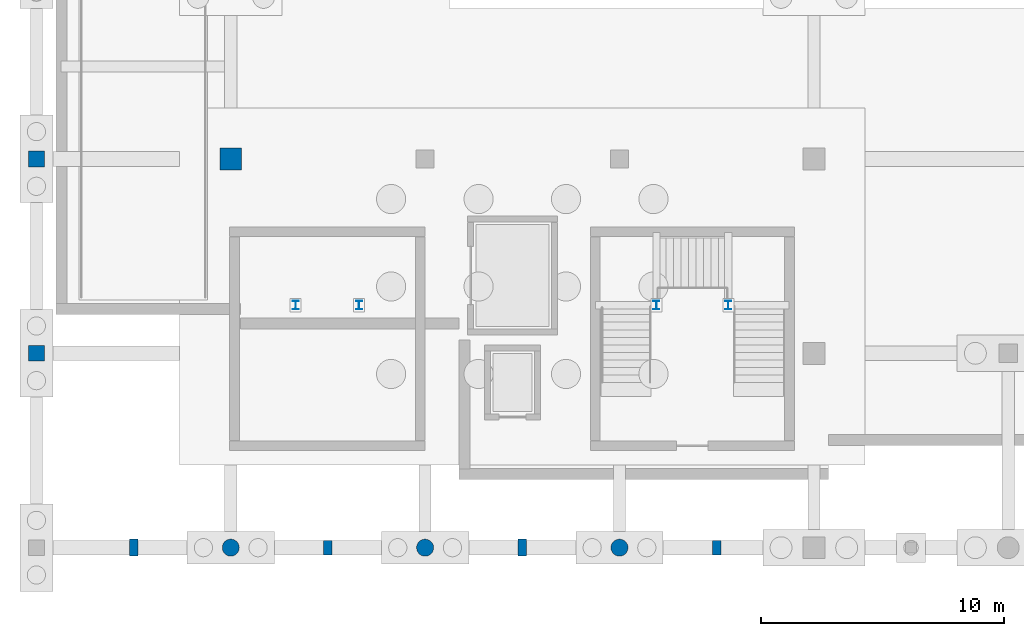
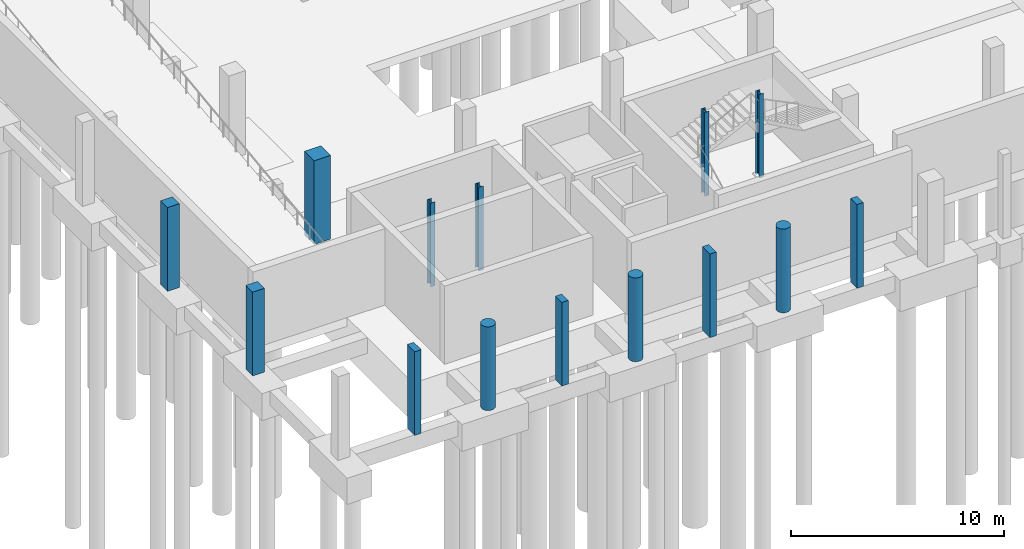
# One storey, part 7 of 32: 14 columns.
"""IFC4 building model written with IfcOpenShell, lengths in metres."""

from ifc_helpers import new_model, si_unit, derived_unit, direction, frame, origin, origin_2d, place, context, subcontext, project, spatial, rectangle, circle, i_section, extrude, material, material_profile, profile_set, type_object, element, save


model = new_model("IFC4")

# Units and contexts
model_context = context("Model", 3, precision=1e-05, world=origin(), true_north=direction((0.0, 1.0)))
body_context = subcontext(model_context, "Body", "Model", "MODEL_VIEW")
ifc_project = project(units=[si_unit("LENGTHUNIT", "METRE"), si_unit("AREAUNIT", "SQUARE_METRE"), si_unit("VOLUMEUNIT", "CUBIC_METRE"), si_unit("PLANEANGLEUNIT", "RADIAN"), si_unit("MASSUNIT", "GRAM", prefix="KILO"), derived_unit("THERMALTRANSMITTANCEUNIT", [(si_unit("POWERUNIT", "WATT"), 1), (si_unit("LENGTHUNIT", "METRE"), -2), (si_unit("THERMODYNAMICTEMPERATUREUNIT", "KELVIN"), -1)])], contexts=[model_context])

# Site, building, storey
site_placement = place(None, origin())
site = spatial("IfcSite", under=ifc_project, at=site_placement, CompositionType="ELEMENT")
building_placement = place(site_placement, origin())
building = spatial("IfcBuilding", under=site, at=building_placement, Name="Nallur Shell Playhouse", CompositionType="ELEMENT")
storey_placement = place(building_placement, frame((0.0, 0.0, -4.800048828125)))
storey = spatial("IfcBuildingStorey", under=building, at=storey_placement, Name="B1", CompositionType="ELEMENT", Elevation=-4.800048828125)

# Columns
ifc_material_1 = material(Name="Concrete M35", Category="concrete")
ifc_material_profile_1 = material_profile(ifc_material_1, rectangle(XDim=0.35009765625, YDim=0.60009765625, at=origin_2d()), Name="RC 350x600")
ifc_profile_set_1 = profile_set([ifc_material_profile_1], Name="Concrete M35")
column_type_1 = type_object("IfcColumnType", Name="CL-PIL-350x600", PredefinedType="PILASTER", material=ifc_profile_set_1)
for number, where, z_axis, x_axis, name in (
    (1, (20.0, 8.0, 0.0), (0.0, 0.0, 1.0), (1.0, 0.0, 0.0), "Wall pilaster PIL-02 (B1)"),
    (2, (36.0, 8.0, 0.0), (0.0, 0.0, 1.0), (1.0, 0.0, 0.0), "Wall pilaster PIL-04 (B1)"),
):
    element("IfcColumn", number, at=place(storey_placement, frame(where, z_axis=z_axis, x_axis=x_axis)), inside=storey, type_object=column_type_1, Name=name, PredefinedType="PILASTER", context=body_context, shape_type="SweptSolid", body=[
        extrude(rectangle(XDim=0.35009765625, YDim=0.60009765625, at=origin_2d()), origin(), (0.0, 0.0, 1.0), 4.800048828125),
    ])
ifc_material_2 = material(Name="Concrete M40", Category="concrete")
ifc_material_profile_2 = material_profile(ifc_material_2, rectangle(XDim=0.35009765625, YDim=0.699951171875, at=origin_2d()), Name="RC 350x700")
ifc_profile_set_2 = profile_set([ifc_material_profile_2], Name="Concrete M40")
column_type_2 = type_object("IfcColumnType", Name="CL-PIL-350x700", PredefinedType="PILASTER", material=ifc_profile_set_2)
for number, where, z_axis, x_axis, name in (
    (3, (12.0, 8.0, 0.0), (0.0, 0.0, 1.0), (1.0, 0.0, 0.0), "Wall pilaster PIL-01 (B1)"),
    (4, (28.0, 8.0, 0.0), (0.0, 0.0, 1.0), (1.0, 0.0, 0.0), "Wall pilaster PIL-03 (B1)"),
):
    element("IfcColumn", number, at=place(storey_placement, frame(where, z_axis=z_axis, x_axis=x_axis)), inside=storey, type_object=column_type_2, Name=name, PredefinedType="PILASTER", context=body_context, shape_type="SweptSolid", body=[
        extrude(rectangle(XDim=0.35009765625, YDim=0.699951171875, at=origin_2d()), origin(), (0.0, 0.0, 1.0), 4.800048828125),
    ])
ifc_material_profile_3 = material_profile(ifc_material_1, rectangle(XDim=0.64990234375, YDim=0.64990234375, at=origin_2d()), Name="RC 650x650")
ifc_profile_set_3 = profile_set([ifc_material_profile_3], Name="Concrete M35")
column_type_3 = type_object("IfcColumnType", Name="CL-RC-650", PredefinedType="COLUMN", material=ifc_profile_set_3)
for number, where, z_axis, x_axis, name in (
    (5, (8.0, 16.0, 0.0), (0.0, 0.0, 1.0), (1.0, 0.0, 0.0), "Column 1-B (B1)"),
    (6, (8.0, 24.0, 0.0), (0.0, 0.0, 1.0), (1.0, 0.0, 0.0), "Column 1-C (B1)"),
):
    element("IfcColumn", number, at=place(storey_placement, frame(where, z_axis=z_axis, x_axis=x_axis)), inside=storey, type_object=column_type_3, Name=name, PredefinedType="COLUMN", context=body_context, shape_type="SweptSolid", body=[
        extrude(rectangle(XDim=0.64990234375, YDim=0.64990234375, at=origin_2d()), origin(), (0.0, 0.0, 1.0), 4.800048828125),
    ])
ifc_material_profile_4 = material_profile(ifc_material_2, rectangle(XDim=0.89990234375, YDim=0.89990234375, at=origin_2d()), Name="RC 900x900")
ifc_profile_set_4 = profile_set([ifc_material_profile_4], Name="Concrete M40")
column_type_4 = type_object("IfcColumnType", Name="CL-RC-900", PredefinedType="COLUMN", material=ifc_profile_set_4)
column_placement = place(storey_placement, frame((16.0, 24.0, 0.0), z_axis=(0.0, 0.0, 1.0), x_axis=(1.0, 0.0, 0.0)))
element("IfcColumn", 7, at=column_placement, inside=storey, type_object=column_type_4, Name="Column 2-C (B1)", PredefinedType="COLUMN", context=body_context, shape_type="SweptSolid", body=[
    extrude(rectangle(XDim=0.89990234375, YDim=0.89990234375, at=origin_2d()), origin(), (0.0, 0.0, 1.0), 4.800048828125),
])
ifc_material_profile_5 = material_profile(ifc_material_2, circle(Radius=0.35009765625, at=origin_2d()), Name="RC D700")
ifc_profile_set_5 = profile_set([ifc_material_profile_5], Name="Concrete M40")
column_type_5 = type_object("IfcColumnType", Name="CL-RCD-700", PredefinedType="COLUMN", material=ifc_profile_set_5)
for number, where, z_axis, x_axis, name in (
    (8, (16.0, 8.0, 0.0), (0.0, 0.0, 1.0), (1.0, 0.0, 0.0), "Column 2-A (B1)"),
    (9, (24.0, 8.0, 0.0), (0.0, 0.0, 1.0), (1.0, 0.0, 0.0), "Column 3-A (B1)"),
    (10, (32.0, 8.0, 0.0), (0.0, 0.0, 1.0), (1.0, 0.0, 0.0), "Column 4-A (B1)"),
):
    element("IfcColumn", number, at=place(storey_placement, frame(where, z_axis=z_axis, x_axis=x_axis)), inside=storey, type_object=column_type_5, Name=name, PredefinedType="COLUMN", context=body_context, shape_type="SweptSolid", body=[
        extrude(circle(Radius=0.35009765625, at=origin_2d()), origin(), (0.0, 0.0, 1.0), 4.800048828125),
    ])
ifc_material_3 = material(Name="Steel E350", Category="steel")
ifc_material_profile_6 = material_profile(ifc_material_3, i_section(OverallWidth=0.25, OverallDepth=0.35009765625, WebThickness=0.010009765625, FlangeThickness=0.01171875, FilletRadius=0.011962890625, at=origin_2d()), Name="ISHB 350")
ifc_profile_set_6 = profile_set([ifc_material_profile_6], Name="Steel E350")
column_type_6 = type_object("IfcColumnType", Name="CL-ST-ISHB350", PredefinedType="COLUMN", material=ifc_profile_set_6)
for number, where, z_axis, x_axis, name in (
    (11, (33.52001953125, 17.97998046875, 0.0), (0.0, 0.0, 1.0), (1.0, 0.0, 0.0), "Column STW-JC-1-W (B1)"),
    (12, (36.47998046875, 17.97998046875, 0.0), (0.0, 0.0, 1.0), (1.0, 0.0, 0.0), "Column STW-JC-1-E (B1)"),
    (13, (18.669921875, 17.97998046875, 0.0), (0.0, 0.0, 1.0), (1.0, 0.0, 0.0), "Column STW-JC-7-W (B1)"),
    (14, (21.280029296875, 17.97998046875, 0.0), (0.0, 0.0, 1.0), (1.0, 0.0, 0.0), "Column STW-JC-7-E (B1)"),
):
    element("IfcColumn", number, at=place(storey_placement, frame(where, z_axis=z_axis, x_axis=x_axis)), inside=storey, type_object=column_type_6, Name=name, PredefinedType="COLUMN", context=body_context, shape_type="SweptSolid", body=[
        extrude(i_section(OverallWidth=0.25, OverallDepth=0.35009765625, WebThickness=0.010009765625, FlangeThickness=0.01171875, FilletRadius=0.011962890625, at=origin_2d()), origin(), (0.0, 0.0, 1.0), 4.800048828125),
    ])

save(model, "model.ifc")
